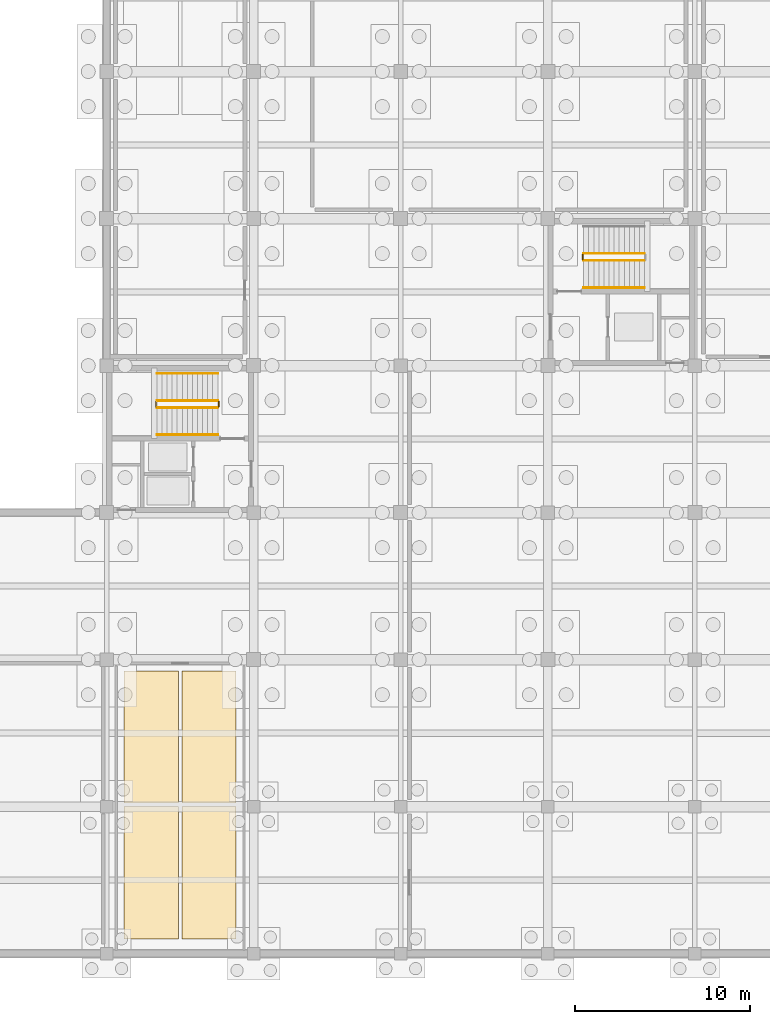
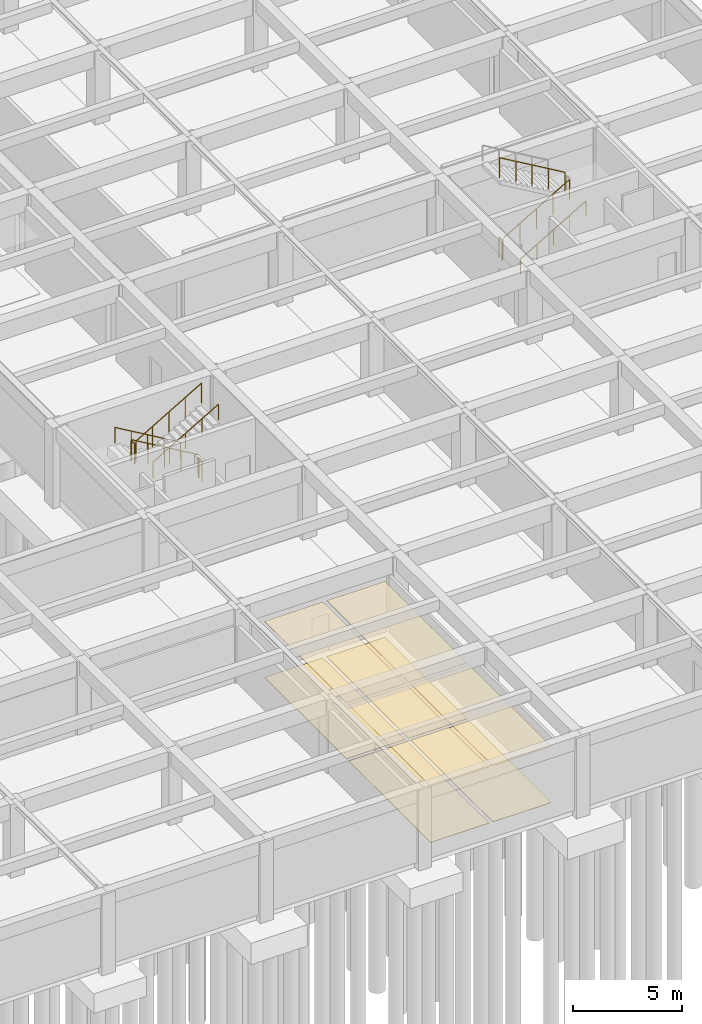
# One storey, part 30 of 33: 10 railings, 8 coverings.
"""IFC4 building model written with IfcOpenShell, lengths in metres."""

from ifc_helpers import new_model, si_unit, direction, frame, origin, origin_2d, place, context, subcontext, project, spatial, rectangle, circle, extrude, material, layer, layer_set, type_object, element, save


model = new_model("IFC4")

# Units and contexts
model_context = context("Model", 3, precision=1e-05, world=origin(), true_north=direction((0.0, 1.0)))
body_context = subcontext(model_context, "Body", "Model", "MODEL_VIEW")
ifc_project = project(units=[si_unit("LENGTHUNIT", "METRE"), si_unit("AREAUNIT", "SQUARE_METRE"), si_unit("VOLUMEUNIT", "CUBIC_METRE"), si_unit("PLANEANGLEUNIT", "RADIAN"), si_unit("MASSUNIT", "GRAM", prefix="KILO")], contexts=[model_context])

# Site, building, storey
site_placement = place(None, origin())
site = spatial("IfcSite", under=ifc_project, at=site_placement, CompositionType="ELEMENT")
building_placement = place(site_placement, origin())
building = spatial("IfcBuilding", under=site, at=building_placement, Name="Kveldsbrygga Polytechnic", CompositionType="ELEMENT")
storey_placement = place(building_placement, frame((0.0, 0.0, -4.419921875)))
storey = spatial("IfcBuildingStorey", under=building, at=storey_placement, Name="B1", CompositionType="ELEMENT", Elevation=-4.419921875)

# Coverings
ifc_material_1 = material(Name="Gypsum acoustic ceiling")
ifc_layer_1 = layer(ifc_material_1, 0.02001953125)
ifc_layer_set_1 = layer_set([ifc_layer_1], Name="Gypsum acoustic ceiling")
covering_type_1 = type_object("IfcCoveringType", Name="COV-CEIL-GY20", PredefinedType="CEILING", material=ifc_layer_set_1)
for number, where, z_axis, x_axis, name in (
    (1, (128.550048828125, 4.625, 3.14990234375), (0.0, 0.0, 1.0), (1.0, 0.0, 0.0), "Acoustic Ceiling SP-B1-WC1-WS"),
    (2, (128.550048828125, 12.375, 3.14990234375), (0.0, 0.0, 1.0), (1.0, 0.0, 0.0), "Acoustic Ceiling SP-B1-WC1-WN"),
    (3, (131.85009765625, 4.625, 3.14990234375), (0.0, 0.0, 1.0), (1.0, 0.0, 0.0), "Acoustic Ceiling SP-B1-WC1-ES"),
    (4, (131.85009765625, 12.375, 3.14990234375), (0.0, 0.0, 1.0), (1.0, 0.0, 0.0), "Acoustic Ceiling SP-B1-WC1-EN"),
):
    element("IfcCovering", number, at=place(storey_placement, frame(where, z_axis=z_axis, x_axis=x_axis)), inside=storey, type_object=covering_type_1, Name=name, PredefinedType="CEILING", context=body_context, shape_type="SweptSolid", body=[
        extrude(rectangle(XDim=3.10009765625, YDim=7.550048828125, at=origin_2d()), origin(), (0.0, 0.0, 1.0), 0.02001953125),
    ])
ifc_material_2 = material(Name="Iddefjord granite honed paving", Category="masonry")
ifc_layer_2 = layer(ifc_material_2, 0.02490234375)
ifc_layer_set_2 = layer_set([ifc_layer_2], Name="Iddefjord granite honed paving")
covering_type_2 = type_object("IfcCoveringType", Name="COV-FLR-GRN25", PredefinedType="FLOORING", material=ifc_layer_set_2)
for number, where, z_axis, x_axis, name in (
    (5, (128.550048828125, 4.625, 0.0), (0.0, 0.0, 1.0), (1.0, 0.0, 0.0), "Room Flooring SP-B1-WC1-WS"),
    (6, (128.550048828125, 12.375, 0.0), (0.0, 0.0, 1.0), (1.0, 0.0, 0.0), "Room Flooring SP-B1-WC1-WN"),
    (7, (131.85009765625, 4.625, 0.0), (0.0, 0.0, 1.0), (1.0, 0.0, 0.0), "Room Flooring SP-B1-WC1-ES"),
    (8, (131.85009765625, 12.375, 0.0), (0.0, 0.0, 1.0), (1.0, 0.0, 0.0), "Room Flooring SP-B1-WC1-EN"),
):
    element("IfcCovering", number, at=place(storey_placement, frame(where, z_axis=z_axis, x_axis=x_axis)), inside=storey, type_object=covering_type_2, Name=name, PredefinedType="FLOORING", context=body_context, shape_type="SweptSolid", body=[
        extrude(rectangle(XDim=3.10009765625, YDim=7.550048828125, at=origin_2d()), origin(), (0.0, 0.0, 1.0), 0.02490234375),
    ])

# Railings
ifc_material_3 = material(Name="Steel S355", Category="steel")
railing_type_1 = type_object("IfcRailingType", Name="RL-STAIR-GRD", PredefinedType="GUARDRAIL", material=ifc_material_3)
railing_1_placement = place(storey_placement, frame((132.35009765625, 31.60009765625, 0.169921875)))
element("IfcRailing", 9, at=railing_1_placement, inside=storey, type_object=railing_type_1, Name="B1 ST-1 stair guard 1", PredefinedType="GUARDRAIL", context=body_context, shape_type="SweptSolid", body=[
    extrude(circle(Radius=0.02392578125, at=origin_2d()), frame((0.0, 0.0, 1.1259765625), z_axis=(-0.862692506924, 0.0, 0.505728819128), x_axis=(0.0, -1.0, 0.0)), (0.0, 0.0, 1.0), 4.033935546875),
    extrude(circle(Radius=0.02099609375, at=origin_2d()), origin(), (0.0, 0.0, 1.0), 1.097900390625),
    extrude(circle(Radius=0.02099609375, at=origin_2d()), frame((-0.8701171875, 0.0, 0.510009765625)), (0.0, 0.0, 1.0), 1.097900390625),
    extrude(circle(Radius=0.02099609375, at=origin_2d()), frame((-1.739990234375, 0.0, 1.02001953125)), (0.0, 0.0, 1.0), 1.097900390625),
    extrude(circle(Radius=0.02099609375, at=origin_2d()), frame((-2.60986328125, 0.0, 1.530029296875)), (0.0, 0.0, 1.0), 1.097900390625),
    extrude(circle(Radius=0.02099609375, at=origin_2d()), frame((-3.47998046875, 0.0, 2.0400390625)), (0.0, 0.0, 1.0), 1.097900390625),
])
railing_2_placement = place(storey_placement, frame((128.820068359375, 31.550048828125, 2.2099609375)))
element("IfcRailing", 10, at=railing_2_placement, inside=storey, type_object=railing_type_1, Name="B1 ST-1 stair guard 2", PredefinedType="GUARDRAIL", context=body_context, shape_type="SweptSolid", body=[
    extrude(circle(Radius=0.02392578125, at=origin_2d()), frame((0.0, 0.0, 1.1259765625), z_axis=(0.0, -1.0, 0.0), x_axis=(1.0, 0.0, 0.0)), (0.0, 0.0, 1.0), 0.300048828125),
    extrude(circle(Radius=0.02099609375, at=origin_2d()), origin(), (0.0, 0.0, 1.0), 1.097900390625),
    extrude(circle(Radius=0.02099609375, at=origin_2d()), frame((0.0, -0.300048828125, 0.0)), (0.0, 0.0, 1.0), 1.097900390625),
])
railing_3_placement = place(storey_placement, frame((128.8701171875, 31.199951171875, 2.3798828125)))
element("IfcRailing", 11, at=railing_3_placement, inside=storey, type_object=railing_type_1, Name="B1 ST-1 stair guard 3", PredefinedType="GUARDRAIL", context=body_context, shape_type="SweptSolid", body=[
    extrude(circle(Radius=0.02392578125, at=origin_2d()), frame((0.0, 0.0, 1.1259765625), z_axis=(0.862692506924, 0.0, 0.505728819128), x_axis=(0.0, 1.0, 0.0)), (0.0, 0.0, 1.0), 4.033935546875),
    extrude(circle(Radius=0.02099609375, at=origin_2d()), origin(), (0.0, 0.0, 1.0), 1.097900390625),
    extrude(circle(Radius=0.02099609375, at=origin_2d()), frame((0.8701171875, 0.0, 0.510009765625)), (0.0, 0.0, 1.0), 1.097900390625),
    extrude(circle(Radius=0.02099609375, at=origin_2d()), frame((1.739990234375, 0.0, 1.02001953125)), (0.0, 0.0, 1.0), 1.097900390625),
    extrude(circle(Radius=0.02099609375, at=origin_2d()), frame((2.60986328125, 0.0, 1.530029296875)), (0.0, 0.0, 1.0), 1.097900390625),
    extrude(circle(Radius=0.02099609375, at=origin_2d()), frame((3.47998046875, 0.0, 2.0400390625)), (0.0, 0.0, 1.0), 1.097900390625),
])
railing_4_placement = place(storey_placement, frame((132.39990234375, 31.550048828125, 0.0)))
element("IfcRailing", 12, at=railing_4_placement, inside=storey, type_object=railing_type_1, Name="B1 ST-1 stair guard 4", PredefinedType="GUARDRAIL", context=body_context, shape_type="SweptSolid", body=[
    extrude(circle(Radius=0.02392578125, at=origin_2d()), frame((0.0, 0.0, 1.1259765625), z_axis=(0.0, -1.0, 0.0), x_axis=(1.0, 0.0, 0.0)), (0.0, 0.0, 1.0), 0.300048828125),
    extrude(circle(Radius=0.02099609375, at=origin_2d()), origin(), (0.0, 0.0, 1.0), 1.097900390625),
    extrude(circle(Radius=0.02099609375, at=origin_2d()), frame((0.0, -0.300048828125, 0.0)), (0.0, 0.0, 1.0), 1.097900390625),
])
railing_5_placement = place(storey_placement, frame((153.25, 39.60009765625, 0.169921875)))
element("IfcRailing", 13, at=railing_5_placement, inside=storey, type_object=railing_type_1, Name="B1 ST-3 stair guard 1", PredefinedType="GUARDRAIL", context=body_context, shape_type="SweptSolid", body=[
    extrude(circle(Radius=0.02392578125, at=origin_2d()), frame((0.0, 0.0, 1.1259765625), z_axis=(0.862692506924, 0.0, 0.505728819128), x_axis=(0.0, 1.0, 0.0)), (0.0, 0.0, 1.0), 4.033935546875),
    extrude(circle(Radius=0.02099609375, at=origin_2d()), origin(), (0.0, 0.0, 1.0), 1.097900390625),
    extrude(circle(Radius=0.02099609375, at=origin_2d()), frame((0.8701171875, 0.0, 0.510009765625)), (0.0, 0.0, 1.0), 1.097900390625),
    extrude(circle(Radius=0.02099609375, at=origin_2d()), frame((1.739990234375, 0.0, 1.02001953125)), (0.0, 0.0, 1.0), 1.097900390625),
    extrude(circle(Radius=0.02099609375, at=origin_2d()), frame((2.60986328125, 0.0, 1.530029296875)), (0.0, 0.0, 1.0), 1.097900390625),
    extrude(circle(Radius=0.02099609375, at=origin_2d()), frame((3.47998046875, 0.0, 2.0400390625)), (0.0, 0.0, 1.0), 1.097900390625),
])
railing_6_placement = place(storey_placement, frame((156.72998046875, 40.0, 2.3798828125)))
element("IfcRailing", 14, at=railing_6_placement, inside=storey, type_object=railing_type_1, Name="B1 ST-3 stair guard 3", PredefinedType="GUARDRAIL", context=body_context, shape_type="SweptSolid", body=[
    extrude(circle(Radius=0.02392578125, at=origin_2d()), frame((0.0, 0.0, 1.1259765625), z_axis=(-0.862692506924, 0.0, 0.505728819128), x_axis=(0.0, -1.0, 0.0)), (0.0, 0.0, 1.0), 4.033935546875),
    extrude(circle(Radius=0.02099609375, at=origin_2d()), origin(), (0.0, 0.0, 1.0), 1.097900390625),
    extrude(circle(Radius=0.02099609375, at=origin_2d()), frame((-0.8701171875, 0.0, 0.510009765625)), (0.0, 0.0, 1.0), 1.097900390625),
    extrude(circle(Radius=0.02099609375, at=origin_2d()), frame((-1.739990234375, 0.0, 1.02001953125)), (0.0, 0.0, 1.0), 1.097900390625),
    extrude(circle(Radius=0.02099609375, at=origin_2d()), frame((-2.60986328125, 0.0, 1.530029296875)), (0.0, 0.0, 1.0), 1.097900390625),
    extrude(circle(Radius=0.02099609375, at=origin_2d()), frame((-3.47998046875, 0.0, 2.0400390625)), (0.0, 0.0, 1.0), 1.097900390625),
])
railing_7_placement = place(storey_placement, frame((153.199951171875, 39.64990234375, 0.0)))
element("IfcRailing", 15, at=railing_7_placement, inside=storey, type_object=railing_type_1, Name="B1 ST-3 stair guard 4", PredefinedType="GUARDRAIL", context=body_context, shape_type="SweptSolid", body=[
    extrude(circle(Radius=0.02392578125, at=origin_2d()), frame((0.0, 0.0, 1.1259765625), z_axis=(0.0, 1.0, 0.0), x_axis=(-1.0, 0.0, 0.0)), (0.0, 0.0, 1.0), 0.300048828125),
    extrude(circle(Radius=0.02099609375, at=origin_2d()), origin(), (0.0, 0.0, 1.0), 1.097900390625),
    extrude(circle(Radius=0.02099609375, at=origin_2d()), frame((0.0, 0.300048828125, 0.0)), (0.0, 0.0, 1.0), 1.097900390625),
])
railing_type_2 = type_object("IfcRailingType", Name="RL-STAIR-HND", PredefinedType="HANDRAIL", material=ifc_material_3)
railing_8_placement = place(storey_placement, frame((132.35009765625, 33.14990234375, 0.169921875)))
element("IfcRailing", 16, at=railing_8_placement, inside=storey, type_object=railing_type_2, Name="B1 ST-1 stair handrail 1", PredefinedType="HANDRAIL", context=body_context, shape_type="SweptSolid", body=[
    extrude(circle(Radius=0.02392578125, at=origin_2d()), frame((0.0, 0.0, 0.8759765625), z_axis=(-0.862692506924, 0.0, 0.505728819128), x_axis=(0.0, -1.0, 0.0)), (0.0, 0.0, 1.0), 4.033935546875),
    extrude(circle(Radius=0.02099609375, at=origin_2d()), origin(), (0.0, 0.0, 1.0), 0.847900390625),
    extrude(circle(Radius=0.02099609375, at=origin_2d()), frame((-0.8701171875, 0.0, 0.510009765625)), (0.0, 0.0, 1.0), 0.847900390625),
    extrude(circle(Radius=0.02099609375, at=origin_2d()), frame((-1.739990234375, 0.0, 1.02001953125)), (0.0, 0.0, 1.0), 0.847900390625),
    extrude(circle(Radius=0.02099609375, at=origin_2d()), frame((-2.60986328125, 0.0, 1.530029296875)), (0.0, 0.0, 1.0), 0.847900390625),
    extrude(circle(Radius=0.02099609375, at=origin_2d()), frame((-3.47998046875, 0.0, 2.0400390625)), (0.0, 0.0, 1.0), 0.847900390625),
])
for number, where, name in (
    (17, (128.8701171875, 29.64990234375, 2.3798828125), "B1 ST-1 stair handrail 2"),
    (18, (153.25, 38.050048828125, 0.169921875), "B1 ST-3 stair handrail 1"),
):
    element("IfcRailing", number, at=place(storey_placement, frame(where)), inside=storey, type_object=railing_type_2, Name=name, PredefinedType="HANDRAIL", context=body_context, shape_type="SweptSolid", body=[
        extrude(circle(Radius=0.02392578125, at=origin_2d()), frame((0.0, 0.0, 0.8759765625), z_axis=(0.862692506924, 0.0, 0.505728819128), x_axis=(0.0, 1.0, 0.0)), (0.0, 0.0, 1.0), 4.033935546875),
        extrude(circle(Radius=0.02099609375, at=origin_2d()), origin(), (0.0, 0.0, 1.0), 0.847900390625),
        extrude(circle(Radius=0.02099609375, at=origin_2d()), frame((0.8701171875, 0.0, 0.510009765625)), (0.0, 0.0, 1.0), 0.847900390625),
        extrude(circle(Radius=0.02099609375, at=origin_2d()), frame((1.739990234375, 0.0, 1.02001953125)), (0.0, 0.0, 1.0), 0.847900390625),
        extrude(circle(Radius=0.02099609375, at=origin_2d()), frame((2.60986328125, 0.0, 1.530029296875)), (0.0, 0.0, 1.0), 0.847900390625),
        extrude(circle(Radius=0.02099609375, at=origin_2d()), frame((3.47998046875, 0.0, 2.0400390625)), (0.0, 0.0, 1.0), 0.847900390625),
    ])

save(model, "model.ifc")
